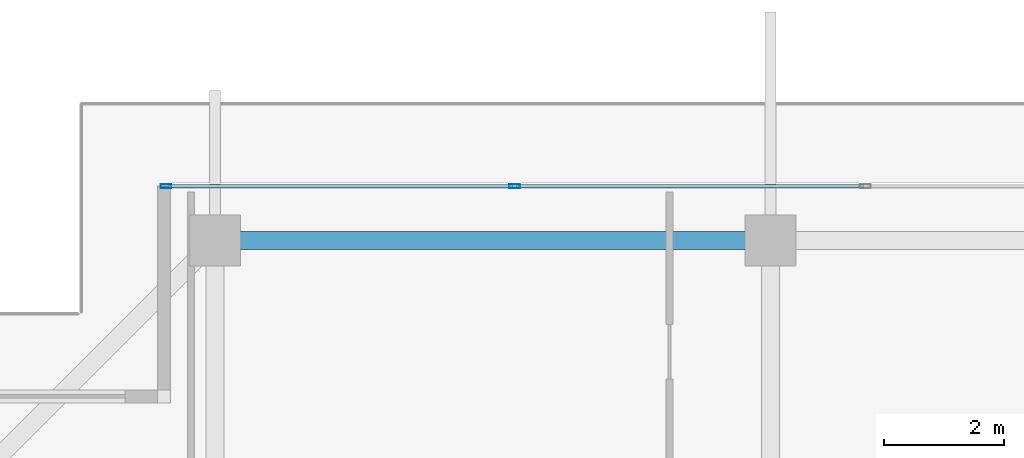
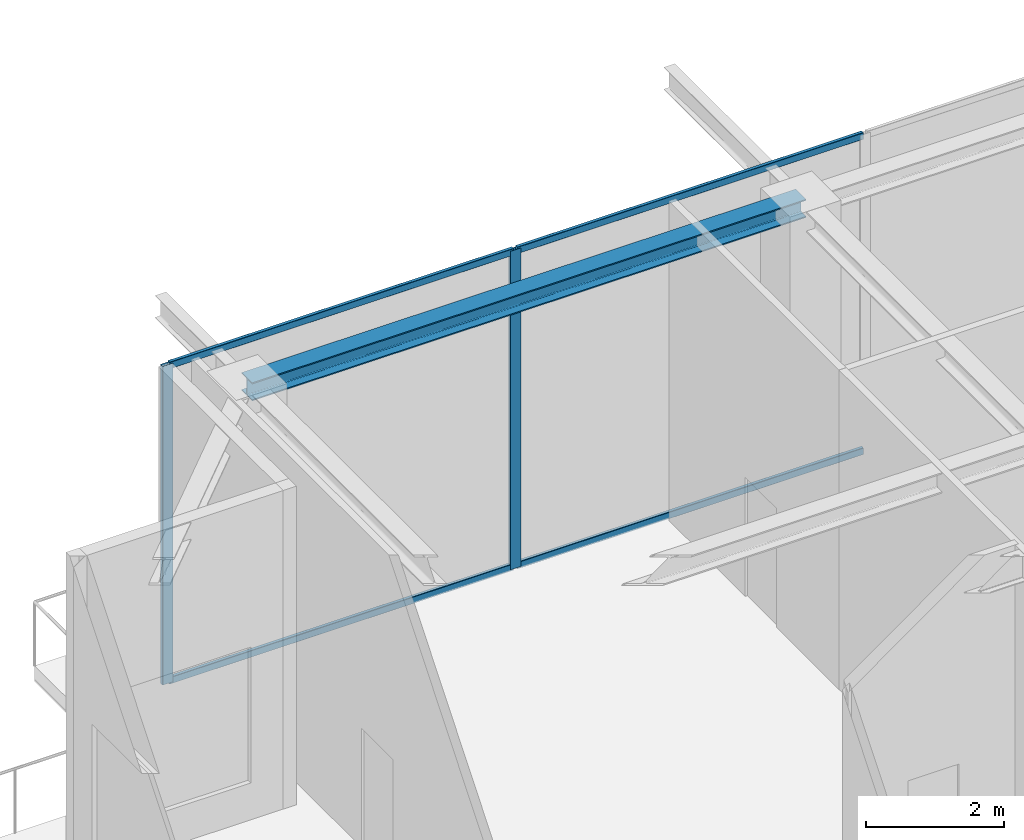
# One storey, part 19 of 38: 6 members, 1 beam, 1 element without a shape of its own.
"""IFC4 building model written with IfcOpenShell, lengths in metres."""

from ifc_helpers import new_model, si_unit, direction, frame, origin, origin_2d, place, context, subcontext, project, spatial, hollow_rectangle, i_section, extrude, source, transform, mapped, material, layer, layer_set, material_profile, profile_set, type_object, element, aggregate, save


model = new_model("IFC4")

# Units and contexts
model_context = context("Model", 3, precision=1e-05, world=origin(), true_north=direction((0.0, 1.0)))
body_context = subcontext(model_context, "Body", "Model", "MODEL_VIEW")
ifc_project = project(units=[si_unit("LENGTHUNIT", "METRE"), si_unit("AREAUNIT", "SQUARE_METRE"), si_unit("VOLUMEUNIT", "CUBIC_METRE"), si_unit("PLANEANGLEUNIT", "RADIAN"), si_unit("MASSUNIT", "GRAM", prefix="KILO")], contexts=[model_context])

# Site, building, storey
site_placement = place(None, origin())
site = spatial("IfcSite", under=ifc_project, at=site_placement, CompositionType="ELEMENT")
building_placement = place(site_placement, origin())
building = spatial("IfcBuilding", under=site, at=building_placement, Name="Serunith Strait Residences", CompositionType="ELEMENT")
storey_placement = place(building_placement, frame((0.0, 0.0, 342.050048828125)))
storey = spatial("IfcBuildingStorey", under=building, at=storey_placement, Name="L85", CompositionType="ELEMENT", Elevation=342.050048828125)

# Beam
ifc_material_1 = material(Name="Steel S355J2", Category="steel")
ifc_material_profile_1 = material_profile(ifc_material_1, i_section(OverallWidth=0.300048828125, OverallDepth=0.320068359375, WebThickness=0.011474609375, FlangeThickness=0.0205078125, FilletRadius=0.027099609375, at=origin_2d()), Name="HEB 320")
ifc_profile_set_1 = profile_set([ifc_material_profile_1], Name="Steel S355J2")
beam_type = type_object("IfcBeamType", Name="BM-HEB320", PredefinedType="BEAM", material=ifc_profile_set_1)
shared_shape_1 = source(origin(), body_context, "Body", "SweptSolid", [
    extrude(i_section(OverallWidth=0.300048828125, OverallDepth=0.320068359375, WebThickness=0.011474609375, FlangeThickness=0.0205078125, FilletRadius=0.027099609375, at=origin_2d()), origin(), (0.0, 0.0, 1.0), 9.25),
])
beam_placement = place(storey_placement, frame((27.89990234375, 45.5, 5.47705078125), z_axis=(-1.0, 0.0, 0.0), x_axis=(0.0, -1.0, 0.0)))
element("IfcBeam", 1, at=beam_placement, inside=storey, type_object=beam_type, Name="L85 Perimeter Ring Beam 11", PredefinedType="BEAM", context=body_context, shape_type="MappedRepresentation", body=[
    mapped(shared_shape_1, transform((0.0, 0.0, 0.0), scale=1.0)),
])

# Curtain wall, members
ifc_material_2 = material(Name="Brushed Stainless-Silver Aluminium", Category="aluminium")
ifc_layer = layer(ifc_material_2, 0.199951171875, Name="Brushed Stainless-Silver Aluminium")
ifc_layer_set = layer_set([ifc_layer], Name="Brushed Stainless-Silver Aluminium")
curtain_wall_type = type_object("IfcCurtainWallType", Name="CW-SYS5", PredefinedType="NOTDEFINED", material=ifc_layer_set)
curtain_wall_placement = place(storey_placement, origin())
curtain_wall = element("IfcCurtainWall", 2, at=curtain_wall_placement, inside=storey, type_object=curtain_wall_type, Name="L85 N Unitised Fritted Curtain Wall", PredefinedType="NOTDEFINED")
ifc_material_profile_2 = material_profile(ifc_material_2, hollow_rectangle(XDim=0.06005859375, YDim=0.1201171875, WallThickness=0.00341796875, InnerFilletRadius=0.00537109375, OuterFilletRadius=0.0087890625, at=origin_2d()), Name="ALU 120x60x3.5")
ifc_profile_set_2 = profile_set([ifc_material_profile_2], Name="Brushed Stainless-Silver Aluminium")
member_type_1 = type_object("IfcMemberType", Name="CW-SYS5-TRAN", PredefinedType="USERDEFINED", material=ifc_profile_set_2)
shared_shape_2 = source(origin(), body_context, "Body", "SweptSolid", [
    extrude(hollow_rectangle(XDim=0.06005859375, YDim=0.1201171875, WallThickness=0.00341796875, InnerFilletRadius=0.00537109375, OuterFilletRadius=0.0087890625, at=origin_2d()), origin(), (0.0, 0.0, 1.0), 5.77490234375),
])
member_1_placement = place(storey_placement, frame((29.447509765625, 46.39990234375, 0.030029296875), z_axis=(-1.0, 0.0, 0.0), x_axis=(0.0, -1.0, 0.0)))
member_1 = element("IfcMember", 3, at=member_1_placement, type_object=member_type_1, Name="CW-5 transom 4.1", ObjectType="TRANSOM", PredefinedType="USERDEFINED", context=body_context, shape_type="MappedRepresentation", body=[
    mapped(shared_shape_2, transform((0.0, 0.0, 0.0), scale=1.0)),
])
member_2_placement = place(storey_placement, frame((29.447509765625, 46.39990234375, 5.594970703125), z_axis=(-1.0, 0.0, 0.0), x_axis=(0.0, -1.0, 0.0)))
member_2 = element("IfcMember", 4, at=member_2_placement, type_object=member_type_1, Name="CW-5 transom 4.2", ObjectType="TRANSOM", PredefinedType="USERDEFINED", context=body_context, shape_type="MappedRepresentation", body=[
    mapped(shared_shape_2, transform((0.0, 0.0, 0.0), scale=1.0)),
])
shared_shape_3 = source(origin(), body_context, "Body", "SweptSolid", [
    extrude(hollow_rectangle(XDim=0.06005859375, YDim=0.1201171875, WallThickness=0.00341796875, InnerFilletRadius=0.00537109375, OuterFilletRadius=0.0087890625, at=origin_2d()), origin(), (0.0, 0.0, 1.0), 5.742431640625),
])
member_3_placement = place(storey_placement, frame((23.607421875, 46.39990234375, 0.030029296875), z_axis=(-1.0, 0.0, 0.0), x_axis=(0.0, -1.0, 0.0)))
member_3 = element("IfcMember", 5, at=member_3_placement, type_object=member_type_1, Name="CW-5 transom 5.1", ObjectType="TRANSOM", PredefinedType="USERDEFINED", context=body_context, shape_type="MappedRepresentation", body=[
    mapped(shared_shape_3, transform((0.0, 0.0, 0.0), scale=1.0)),
])
member_4_placement = place(storey_placement, frame((23.607421875, 46.39990234375, 5.594970703125), z_axis=(-1.0, 0.0, 0.0), x_axis=(0.0, -1.0, 0.0)))
member_4 = element("IfcMember", 6, at=member_4_placement, type_object=member_type_1, Name="CW-5 transom 5.2", ObjectType="TRANSOM", PredefinedType="USERDEFINED", context=body_context, shape_type="MappedRepresentation", body=[
    mapped(shared_shape_3, transform((0.0, 0.0, 0.0), scale=1.0)),
])
ifc_material_profile_3 = material_profile(ifc_material_2, hollow_rectangle(XDim=0.06494140625, YDim=0.179931640625, WallThickness=0.00341796875, InnerFilletRadius=0.00537109375, OuterFilletRadius=0.0087890625, at=origin_2d()), Name="ALU 180x65x3.5")
ifc_profile_set_3 = profile_set([ifc_material_profile_3], Name="Brushed Stainless-Silver Aluminium")
member_type_2 = type_object("IfcMemberType", Name="CW-SYS5-MULL", PredefinedType="MULLION", material=ifc_profile_set_3)
shared_shape_4 = source(origin(), body_context, "Body", "SweptSolid", [
    extrude(hollow_rectangle(XDim=0.06494140625, YDim=0.179931640625, WallThickness=0.00341796875, InnerFilletRadius=0.00537109375, OuterFilletRadius=0.0087890625, at=origin_2d()), origin(), (0.0, 0.0, 1.0), 5.625),
])
member_5_placement = place(storey_placement, frame((23.639892578125, 46.39990234375, 0.0), z_axis=(0.0, 0.0, 1.0), x_axis=(0.0, -1.0, 0.0)))
member_5 = element("IfcMember", 7, at=member_5_placement, type_object=member_type_2, Name="CW-5 mullion 5", PredefinedType="MULLION", context=body_context, shape_type="MappedRepresentation", body=[
    mapped(shared_shape_4, transform((0.0, 0.0, 0.0), scale=1.0)),
])
member_6_placement = place(storey_placement, frame((17.83251953125, 46.39990234375, 0.0), z_axis=(0.0, 0.0, 1.0), x_axis=(0.0, -1.0, 0.0)))
member_6 = element("IfcMember", 8, at=member_6_placement, type_object=member_type_2, Name="CW-5 mullion 6", PredefinedType="MULLION", context=body_context, shape_type="MappedRepresentation", body=[
    mapped(shared_shape_4, transform((0.0, 0.0, 0.0), scale=1.0)),
])
aggregate(curtain_wall, [member_5, member_6, member_1, member_2, member_3, member_4])

save(model, "model.ifc")
